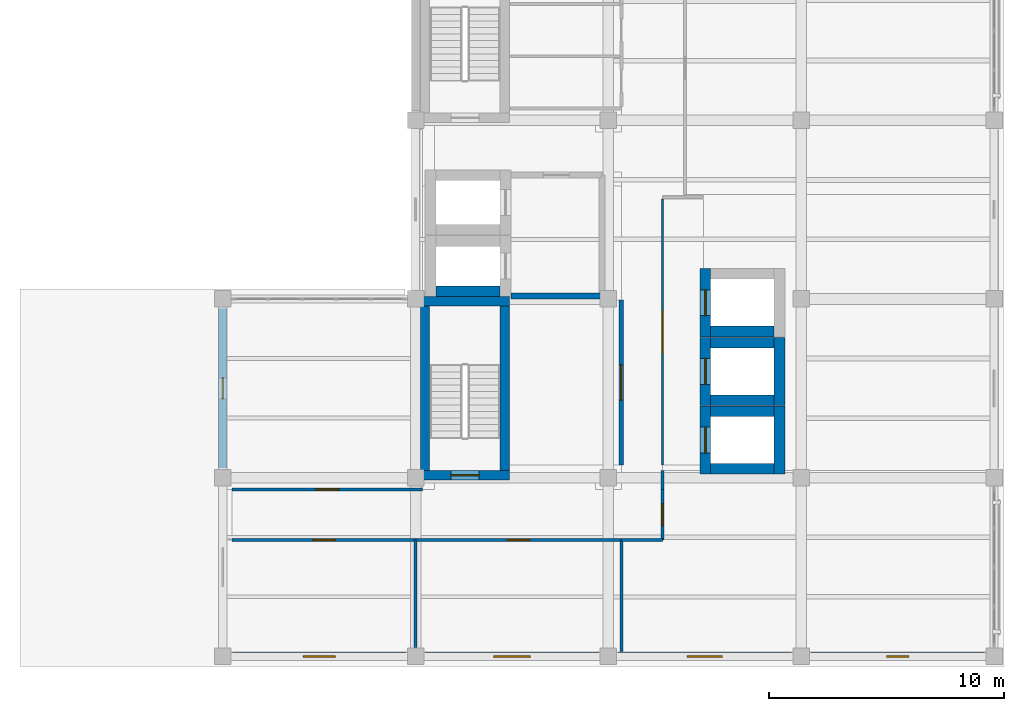
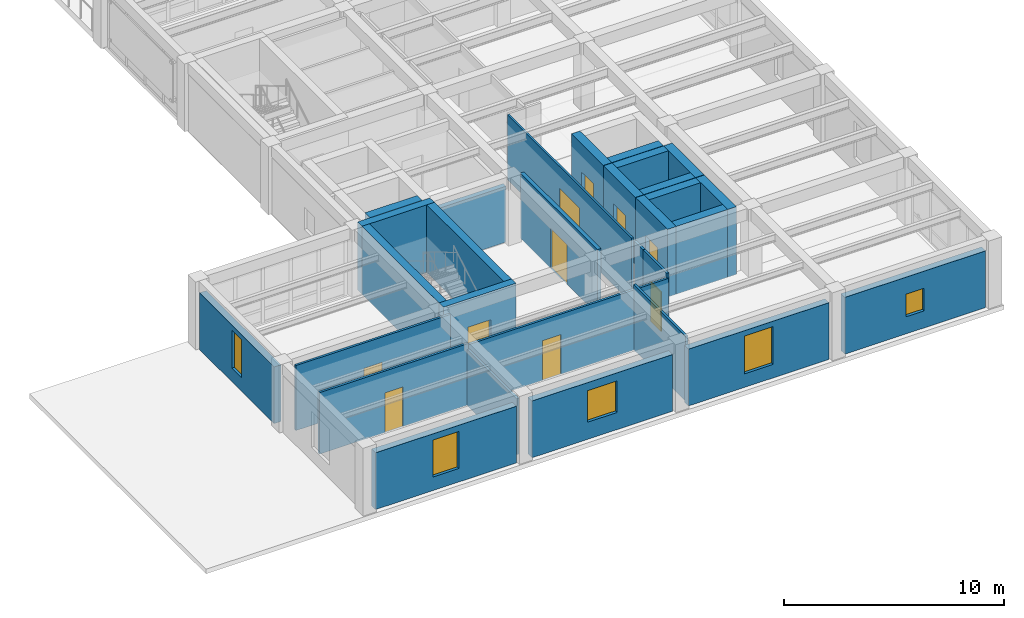
# One storey, part 6 of 11: 31 walls, 10 doors, 5 windows, 15 openings.
"""IFC4 building model written with IfcOpenShell, lengths in metres."""

from ifc_helpers import new_model, si_unit, direction, frame, frame_2d, origin, place, context, subcontext, project, spatial, rectangle, extrude, material, layer, layer_set, type_object, element, fill, save


model = new_model("IFC4")

# Units and contexts
model_context = context("Model", 3, precision=1e-05, world=origin(), true_north=direction((0.0, 1.0)))
body_context = subcontext(model_context, "Body", "Model", "MODEL_VIEW")
ifc_project = project(units=[si_unit("LENGTHUNIT", "METRE"), si_unit("AREAUNIT", "SQUARE_METRE"), si_unit("VOLUMEUNIT", "CUBIC_METRE"), si_unit("PLANEANGLEUNIT", "RADIAN"), si_unit("MASSUNIT", "GRAM", prefix="KILO")], contexts=[model_context])

# Site, building, storey
site_placement = place(None, origin())
site = spatial("IfcSite", under=ifc_project, at=site_placement, CompositionType="ELEMENT")
building_placement = place(site_placement, origin())
building = spatial("IfcBuilding", under=site, at=building_placement, Name="Qandaris Square Conservatory and Botanical Centre", CompositionType="ELEMENT")
storey_placement = place(building_placement, frame((0.0, 0.0, 66.199951171875)))
storey = spatial("IfcBuildingStorey", under=building, at=storey_placement, Name="L15", CompositionType="ELEMENT", Elevation=66.199951171875)

# Wall, opening, window
ifc_material_1 = material(Name="Precast concrete C40/50", Category="concrete")
ifc_layer_1 = layer(ifc_material_1, 0.360107421875)
ifc_layer_set_1 = layer_set([ifc_layer_1], Name="Precast concrete C40/50")
wall_type_1 = type_object("IfcWallType", Name="Architectural Precast Cladding Wall 360mm", PredefinedType="SOLIDWALL", material=ifc_layer_set_1)
wall_1_placement = place(storey_placement, frame((131.409912109375, 16.60009765625, 0.0), z_axis=(0.0, 0.0, 1.0), x_axis=(1.0, 0.0, 0.0)))
wall_1 = element("IfcWall", 1, at=wall_1_placement, inside=storey, type_object=wall_type_1, Name="Exterior Wall EW-TWR-L15-1-1", PredefinedType="SOLIDWALL", context=body_context, shape_type="SweptSolid", body=[
    extrude(rectangle(XDim=7.380126953125, YDim=0.360107421875, at=frame_2d((3.68994140625, 0.0))), origin(), (0.0, 0.0, 1.0), 3.14501953125),
])
opening_1_placement = place(wall_1_placement, frame((3.014892578125, 0.0, 0.75)))
opening_1 = element("IfcOpeningElement", 2, at=opening_1_placement, cuts=wall_1, Name="Opening WN-24", PredefinedType="OPENING", context=body_context, shape_type="SweptSolid", body=[
    extrude(rectangle(XDim=1.35009765625, YDim=2.050048828125, at=frame_2d((0.675048828125, 1.02490234375))), frame((0.0, 0.19189453125, 0.0), z_axis=(0.0, -1.0, 0.0), x_axis=(1.0, 0.0, 0.0)), (0.0, 0.0, 1.0), 0.384033203125),
])
ifc_material_2 = material(Name="Tempered Low-E Glass", Category="glass")
window_type_1 = type_object("IfcWindowType", Name="Solar Control Window 1350x2050", PartitioningType="SINGLE_PANEL", PredefinedType="WINDOW", material=ifc_material_2)
window_1_placement = place(opening_1_placement, origin())
window_1 = element("IfcWindow", 3, at=window_1_placement, inside=storey, type_object=window_type_1, Name="Window EW-TWR-L15-1-1", OverallHeight=2.050048828125, OverallWidth=1.35009765625, PartitioningType="SINGLE_PANEL", PredefinedType="WINDOW", context=body_context, shape_type="SweptSolid", body=[
    extrude(rectangle(XDim=1.35009765625, YDim=2.050048828125, at=frame_2d((0.675048828125, 1.02490234375))), frame((0.0, 0.030029296875, 0.0), z_axis=(0.0, -1.0, 0.0), x_axis=(1.0, 0.0, 0.0)), (0.0, 0.0, 1.0), 0.06005859375),
])
fill(opening_1, window_1)

wall_2_placement = place(storey_placement, frame((139.610107421875, 16.60009765625, 0.0), z_axis=(0.0, 0.0, 1.0), x_axis=(1.0, 0.0, 0.0)))
wall_2 = element("IfcWall", 4, at=wall_2_placement, inside=storey, type_object=wall_type_1, Name="Exterior Wall EW-TWR-L15-1-2", PredefinedType="SOLIDWALL", context=body_context, shape_type="SweptSolid", body=[
    extrude(rectangle(XDim=7.3798828125, YDim=0.360107421875, at=frame_2d((3.68994140625, 0.0))), origin(), (0.0, 0.0, 1.0), 3.14501953125),
])
opening_2_placement = place(wall_2_placement, frame((2.9150390625, 0.0, 0.949951171875)))
opening_2 = element("IfcOpeningElement", 5, at=opening_2_placement, cuts=wall_2, Name="Opening WN-27", PredefinedType="OPENING", context=body_context, shape_type="SweptSolid", body=[
    extrude(rectangle(XDim=1.550048828125, YDim=1.75, at=frame_2d((0.77490234375, 0.875))), frame((0.0, 0.19189453125, 0.0), z_axis=(0.0, -1.0, 0.0), x_axis=(1.0, 0.0, 0.0)), (0.0, 0.0, 1.0), 0.384033203125),
])
window_type_2 = type_object("IfcWindowType", Name="Solar Control Window 1550x1750", PartitioningType="DOUBLE_PANEL_VERTICAL", PredefinedType="WINDOW", material=ifc_material_2)
window_2_placement = place(opening_2_placement, origin())
window_2 = element("IfcWindow", 6, at=window_2_placement, inside=storey, type_object=window_type_2, Name="Window EW-TWR-L15-1-2", OverallHeight=1.75, OverallWidth=1.550048828125, PartitioningType="DOUBLE_PANEL_VERTICAL", PredefinedType="WINDOW", context=body_context, shape_type="SweptSolid", body=[
    extrude(rectangle(XDim=1.550048828125, YDim=1.75, at=frame_2d((0.77490234375, 0.875))), frame((0.0, 0.030029296875, 0.0), z_axis=(0.0, -1.0, 0.0), x_axis=(1.0, 0.0, 0.0)), (0.0, 0.0, 1.0), 0.06005859375),
])
fill(opening_2, window_2)

wall_3_placement = place(storey_placement, frame((147.81005859375, 16.60009765625, 0.0), z_axis=(0.0, 0.0, 1.0), x_axis=(1.0, 0.0, 0.0)))
wall_3 = element("IfcWall", 7, at=wall_3_placement, inside=storey, type_object=wall_type_1, Name="Exterior Wall EW-TWR-L15-1-3", PredefinedType="SOLIDWALL", context=body_context, shape_type="SweptSolid", body=[
    extrude(rectangle(XDim=7.3798828125, YDim=0.360107421875, at=frame_2d((3.68994140625, 0.0))), origin(), (0.0, 0.0, 1.0), 3.14501953125),
])
opening_3_placement = place(wall_3_placement, frame((2.93994140625, 0.0, 0.75)))
opening_3 = element("IfcOpeningElement", 8, at=opening_3_placement, cuts=wall_3, Name="Opening WN-02", PredefinedType="OPENING", context=body_context, shape_type="SweptSolid", body=[
    extrude(rectangle(XDim=1.5, YDim=2.10009765625, at=frame_2d((0.75, 1.050048828125))), frame((0.0, 0.19189453125, 0.0), z_axis=(0.0, -1.0, 0.0), x_axis=(1.0, 0.0, 0.0)), (0.0, 0.0, 1.0), 0.384033203125),
])
window_type_3 = type_object("IfcWindowType", Name="Deep-Set Paired Research Window 1500x2100", PartitioningType="DOUBLE_PANEL_VERTICAL", PredefinedType="WINDOW", material=ifc_material_2)
window_3_placement = place(opening_3_placement, origin())
window_3 = element("IfcWindow", 9, at=window_3_placement, inside=storey, type_object=window_type_3, Name="Window EW-TWR-L15-1-3", OverallHeight=2.10009765625, OverallWidth=1.5, PartitioningType="DOUBLE_PANEL_VERTICAL", PredefinedType="WINDOW", context=body_context, shape_type="SweptSolid", body=[
    extrude(rectangle(XDim=1.5, YDim=2.10009765625, at=frame_2d((0.75, 1.050048828125))), frame((0.0, 0.030029296875, 0.0), z_axis=(0.0, -1.0, 0.0), x_axis=(1.0, 0.0, 0.0)), (0.0, 0.0, 1.0), 0.06005859375),
])
fill(opening_3, window_3)

wall_4_placement = place(storey_placement, frame((156.010009765625, 16.60009765625, 0.0), z_axis=(0.0, 0.0, 1.0), x_axis=(1.0, 0.0, 0.0)))
wall_4 = element("IfcWall", 10, at=wall_4_placement, inside=storey, type_object=wall_type_1, Name="Exterior Wall EW-TWR-L15-1-4", PredefinedType="SOLIDWALL", context=body_context, shape_type="SweptSolid", body=[
    extrude(rectangle(XDim=7.3798828125, YDim=0.360107421875, at=frame_2d((3.68994140625, 0.0))), origin(), (0.0, 0.0, 1.0), 3.14501953125),
])
opening_4_placement = place(wall_4_placement, frame((3.215087890625, 0.0, 0.949951171875)))
opening_4 = element("IfcOpeningElement", 11, at=opening_4_placement, cuts=wall_4, Name="Opening WN-13", PredefinedType="OPENING", context=body_context, shape_type="SweptSolid", body=[
    extrude(rectangle(XDim=0.949951171875, YDim=1.25, at=frame_2d((0.47509765625, 0.625))), frame((0.0, 0.19189453125, 0.0), z_axis=(0.0, -1.0, 0.0), x_axis=(1.0, 0.0, 0.0)), (0.0, 0.0, 1.0), 0.384033203125),
])
window_type_4 = type_object("IfcWindowType", Name="Solar Control Window 950x1250", PartitioningType="SINGLE_PANEL", PredefinedType="WINDOW", material=ifc_material_2)
window_4_placement = place(opening_4_placement, origin())
window_4 = element("IfcWindow", 12, at=window_4_placement, inside=storey, type_object=window_type_4, Name="Window EW-TWR-L15-1-4", OverallHeight=1.25, OverallWidth=0.949951171875, PartitioningType="SINGLE_PANEL", PredefinedType="WINDOW", context=body_context, shape_type="SweptSolid", body=[
    extrude(rectangle(XDim=0.949951171875, YDim=1.25, at=frame_2d((0.47509765625, 0.625))), frame((0.0, 0.030029296875, 0.0), z_axis=(0.0, -1.0, 0.0), x_axis=(1.0, 0.0, 0.0)), (0.0, 0.0, 1.0), 0.06005859375),
])
fill(opening_4, window_4)

wall_5_placement = place(storey_placement, frame((131.0, 31.389892578125, 0.0), z_axis=(0.0, 0.0, 1.0), x_axis=(0.0, -1.0, 0.0)))
wall_5 = element("IfcWall", 13, at=wall_5_placement, inside=storey, type_object=wall_type_1, Name="Exterior Wall EW-TWR-L15-6-1", PredefinedType="SOLIDWALL", context=body_context, shape_type="SweptSolid", body=[
    extrude(rectangle(XDim=6.77978515625, YDim=0.360107421875, at=frame_2d((3.389892578125, 0.0))), origin(), (0.0, 0.0, 1.0), 3.14501953125),
])
opening_5_placement = place(wall_5_placement, frame((2.93994140625, 0.0, 0.75)))
opening_5 = element("IfcOpeningElement", 14, at=opening_5_placement, cuts=wall_5, Name="Opening WN-01", PredefinedType="OPENING", context=body_context, shape_type="SweptSolid", body=[
    extrude(rectangle(XDim=0.89990234375, YDim=2.10009765625, at=frame_2d((0.449951171875, 1.050048828125))), frame((0.0, 0.19189453125, 0.0), z_axis=(0.0, -1.0, 0.0), x_axis=(1.0, 0.0, 0.0)), (0.0, 0.0, 1.0), 0.384033203125),
])
window_type_5 = type_object("IfcWindowType", Name="Deep-Set Solar Slot Window 900x2100", PartitioningType="SINGLE_PANEL", PredefinedType="WINDOW", material=ifc_material_2)
window_5_placement = place(opening_5_placement, origin())
window_5 = element("IfcWindow", 15, at=window_5_placement, inside=storey, type_object=window_type_5, Name="Window EW-TWR-L15-6-1", OverallHeight=2.10009765625, OverallWidth=0.89990234375, PartitioningType="SINGLE_PANEL", PredefinedType="WINDOW", context=body_context, shape_type="SweptSolid", body=[
    extrude(rectangle(XDim=0.89990234375, YDim=2.10009765625, at=frame_2d((0.449951171875, 1.050048828125))), frame((0.0, 0.030029296875, 0.0), z_axis=(0.0, -1.0, 0.0), x_axis=(1.0, 0.0, 0.0)), (0.0, 0.0, 1.0), 0.06005859375),
])
fill(opening_5, window_5)

# Wall
ifc_material_3 = material(Name="Concrete C40/50", Category="concrete")
ifc_layer_2 = layer(ifc_material_3, 0.25)
ifc_layer_set_2 = layer_set([ifc_layer_2], Name="Concrete C40/50")
wall_type_2 = type_object("IfcWallType", Name="Firefighting Lobby Compartment Wall 250mm", PredefinedType="SOLIDWALL", material=ifc_layer_set_2)
wall_6_placement = place(storey_placement, frame((143.25, 31.925048828125, 0.0), z_axis=(0.0, 0.0, 1.0), x_axis=(1.0, 0.0, 0.0)))
element("IfcWall", 16, at=wall_6_placement, inside=storey, type_object=wall_type_2, Name="Firefighting Lobby Wall South (L15)", PredefinedType="SOLIDWALL", context=body_context, shape_type="SweptSolid", body=[
    extrude(rectangle(XDim=3.875, YDim=0.25, at=frame_2d((1.9375, 0.0))), origin(), (0.0, 0.0, 1.0), 3.094970703125),
])

# Wall, opening, door
ifc_layer_3 = layer(ifc_material_2, 0.10009765625)
ifc_layer_set_3 = layer_set([ifc_layer_3], Name="Tempered Low-E Glass")
wall_type_3 = type_object("IfcWallType", Name="Framed Acoustic Glazed Gallery Screen 100mm", PredefinedType="PARTITIONING", material=ifc_layer_set_3)
wall_7_placement = place(storey_placement, frame((149.699951171875, 24.75, 0.0), z_axis=(0.0, 0.0, 1.0), x_axis=(0.0, 1.0, 0.0)))
wall_7 = element("IfcWall", 17, at=wall_7_placement, inside=storey, type_object=wall_type_3, Name="Interior Partition IW-L15-0465", PredefinedType="PARTITIONING", context=body_context, shape_type="SweptSolid", body=[
    extrude(rectangle(XDim=11.300048828125, YDim=0.10009765625, at=frame_2d((5.64990234375, 0.0))), origin(), (0.0, 0.0, 1.0), 3.60498046875),
])
opening_6_placement = place(wall_7_placement, frame((4.75, 0.0, 0.0)))
opening_6 = element("IfcOpeningElement", 18, at=opening_6_placement, cuts=wall_7, Name="Opening D-GL1", PredefinedType="OPENING", context=body_context, shape_type="SweptSolid", body=[
    extrude(rectangle(XDim=1.800048828125, YDim=2.39990234375, at=frame_2d((0.89990234375, 1.199951171875))), frame((0.0, 0.06201171875, 0.0), z_axis=(0.0, -1.0, 0.0), x_axis=(1.0, 0.0, 0.0)), (0.0, 0.0, 1.0), 0.1240234375),
])
ifc_material_4 = material(Name="Anodised Aluminium", Category="aluminium")
door_type_1 = type_object("IfcDoorType", Name="Visitor Gallery Glazed Double Door 1800x2400", OperationType="DOUBLE_DOOR_SINGLE_SWING", PredefinedType="DOOR", material=ifc_material_4)
door_1_placement = place(opening_6_placement, frame((1.800048828125, 0.0, 0.0), z_axis=(0.0, 0.0, 1.0), x_axis=(-1.0, 0.0, 0.0)))
door_1 = element("IfcDoor", 19, at=door_1_placement, inside=storey, type_object=door_type_1, Name="DR-0428 Main Circulation Corridor L15 Door", OperationType="DOUBLE_DOOR_SINGLE_SWING", OverallHeight=2.39990234375, OverallWidth=1.800048828125, PredefinedType="DOOR", context=body_context, shape_type="SweptSolid", body=[
    extrude(rectangle(XDim=1.800048828125, YDim=2.39990234375, at=frame_2d((0.89990234375, 1.199951171875))), frame((0.0, 0.02490234375, 0.0), z_axis=(0.0, -1.0, 0.0), x_axis=(1.0, 0.0, 0.0)), (0.0, 0.0, 1.0), 0.050048828125),
])
fill(opening_6, door_1)

ifc_layer_4 = layer(ifc_material_3, 0.199951171875)
ifc_layer_set_4 = layer_set([ifc_layer_4], Name="Concrete C40/50")
wall_type_4 = type_object("IfcWallType", Name="Herbarium & Plant Compartment Wall 200mm", PredefinedType="PARTITIONING", material=ifc_layer_set_4)
wall_8_placement = place(storey_placement, frame((147.949951171875, 31.75, 0.0), z_axis=(0.0, 0.0, 1.0), x_axis=(0.0, -1.0, 0.0)))
wall_8 = element("IfcWall", 20, at=wall_8_placement, inside=storey, type_object=wall_type_4, Name="Interior Partition IW-L15-0464", PredefinedType="PARTITIONING", context=body_context, shape_type="SweptSolid", body=[
    extrude(rectangle(XDim=7.0, YDim=0.199951171875, at=frame_2d((3.5, 0.0))), origin(), (0.0, 0.0, 1.0), 3.60498046875),
])
opening_7_placement = place(wall_8_placement, frame((2.75, 0.0, 0.0)))
opening_7 = element("IfcOpeningElement", 21, at=opening_7_placement, cuts=wall_8, Name="Opening D-PLT1", PredefinedType="OPENING", context=body_context, shape_type="SweptSolid", body=[
    extrude(rectangle(XDim=1.5, YDim=2.199951171875, at=frame_2d((0.75, 1.10009765625))), frame((0.0, 0.11181640625, 0.0), z_axis=(0.0, -1.0, 0.0), x_axis=(1.0, 0.0, 0.0)), (0.0, 0.0, 1.0), 0.223876953125),
])
ifc_material_5 = material(Name="Steel S355", Category="steel")
door_type_2 = type_object("IfcDoorType", Name="Plant & Riser Double Fire Door 1500x2200", OperationType="DOUBLE_DOOR_SINGLE_SWING", PredefinedType="DOOR", material=ifc_material_5)
door_2_placement = place(opening_7_placement, origin())
door_2 = element("IfcDoor", 22, at=door_2_placement, inside=storey, type_object=door_type_2, Name="DR-0436 Electrical and Telecom Riser Room L15 Door", OperationType="DOUBLE_DOOR_SINGLE_SWING", OverallHeight=2.199951171875, OverallWidth=1.5, PredefinedType="DOOR", context=body_context, shape_type="SweptSolid", body=[
    extrude(rectangle(XDim=1.5, YDim=2.199951171875, at=frame_2d((0.75, 1.10009765625))), frame((0.0, 0.02490234375, 0.0), z_axis=(0.0, -1.0, 0.0), x_axis=(1.0, 0.0, 0.0)), (0.0, 0.0, 1.0), 0.050048828125),
])
fill(opening_7, door_2)

# Walls
ifc_material_6 = material(Name="Concrete C50/60", Category="concrete")
ifc_layer_5 = layer(ifc_material_6, 0.449951171875)
ifc_layer_set_5 = layer_set([ifc_layer_5], Name="Concrete C50/60")
wall_type_5 = type_object("IfcWallType", Name="RC Coupled Core Shear Wall 450mm", PredefinedType="SHEAR", material=ifc_layer_set_5)
wall_9_placement = place(storey_placement, frame((140.06005859375, 32.135009765625, 0.0), z_axis=(0.0, 0.0, 1.0), x_axis=(1.0, 0.0, 0.0)))
element("IfcWall", 23, at=wall_9_placement, inside=storey, type_object=wall_type_5, Name="Lift FFL1 Shaft Wall South (L15)", PredefinedType="SHEAR", context=body_context, shape_type="SweptSolid", body=[
    extrude(rectangle(XDim=2.739990234375, YDim=0.449951171875, at=frame_2d((1.3701171875, 0.0))), origin(), (0.0, 0.0, 1.0), 3.760009765625),
])
for number, where, z_axis, x_axis, name in (
    (24, (151.75, 24.574951171875, 0.0), (0.0, 0.0, 1.0), (1.0, 0.0, 0.0), "Lift PL1 Shaft Wall South (L15)"),
    (25, (151.75, 27.02490234375, 0.0), (0.0, 0.0, 1.0), (1.0, 0.0, 0.0), "Lift PL1 Shaft Wall North (L15)"),
):
    element("IfcWall", number, at=place(storey_placement, frame(where, z_axis=z_axis, x_axis=x_axis)), inside=storey, type_object=wall_type_5, Name=name, PredefinedType="SHEAR", context=body_context, shape_type="SweptSolid", body=[
        extrude(rectangle(XDim=2.699951171875, YDim=0.449951171875, at=frame_2d((1.35009765625, 0.0))), origin(), (0.0, 0.0, 1.0), 3.760009765625),
    ])

# Wall, opening, door
wall_10_placement = place(storey_placement, frame((151.52490234375, 24.35009765625, 0.0), z_axis=(0.0, 0.0, 1.0), x_axis=(0.0, 1.0, 0.0)))
wall_10 = element("IfcWall", 26, at=wall_10_placement, inside=storey, type_object=wall_type_5, Name="Lift PL1 Shaft Wall West (L15)", PredefinedType="SHEAR", context=body_context, shape_type="SweptSolid", body=[
    extrude(rectangle(XDim=2.89990234375, YDim=0.449951171875, at=frame_2d((1.449951171875, 0.0))), origin(), (0.0, 0.0, 1.0), 3.760009765625),
])
opening_8_placement = place(wall_10_placement, frame((0.89990234375, 0.0, 0.0)))
opening_8 = element("IfcOpeningElement", 27, at=opening_8_placement, cuts=wall_10, Name="Opening LD-PAX", PredefinedType="OPENING", context=body_context, shape_type="SweptSolid", body=[
    extrude(rectangle(XDim=1.10009765625, YDim=2.199951171875, at=frame_2d((0.550048828125, 1.10009765625))), frame((0.0, 0.23681640625, 0.0), z_axis=(0.0, -1.0, 0.0), x_axis=(1.0, 0.0, 0.0)), (0.0, 0.0, 1.0), 0.473876953125),
])
door_type_3 = type_object("IfcDoorType", Name="Passenger Lift Sliding Landing Door 1100x2200", OperationType="DOUBLE_DOOR_SLIDING", PredefinedType="DOOR", material=ifc_material_4)
door_3_placement = place(opening_8_placement, origin())
door_3 = element("IfcDoor", 28, at=door_3_placement, inside=storey, type_object=door_type_3, Name="DR-0445 Lift PL1 Landing Door (L15)", OperationType="DOUBLE_DOOR_SLIDING", OverallHeight=2.199951171875, OverallWidth=1.10009765625, PredefinedType="DOOR", context=body_context, shape_type="SweptSolid", body=[
    extrude(rectangle(XDim=1.10009765625, YDim=2.199951171875, at=frame_2d((0.550048828125, 1.10009765625))), frame((0.0, 0.02490234375, 0.0), z_axis=(0.0, -1.0, 0.0), x_axis=(1.0, 0.0, 0.0)), (0.0, 0.0, 1.0), 0.050048828125),
])
fill(opening_8, door_3)

# Walls
wall_11_placement = place(storey_placement, frame((154.675048828125, 24.35009765625, 0.0), z_axis=(0.0, 0.0, 1.0), x_axis=(0.0, 1.0, 0.0)))
element("IfcWall", 29, at=wall_11_placement, inside=storey, type_object=wall_type_5, Name="Lift PL1 Shaft Wall East (L15)", PredefinedType="SHEAR", context=body_context, shape_type="SweptSolid", body=[
    extrude(rectangle(XDim=2.89990234375, YDim=0.449951171875, at=frame_2d((1.449951171875, 0.0))), origin(), (0.0, 0.0, 1.0), 3.760009765625),
])
for number, where, z_axis, x_axis, name in (
    (30, (151.75, 27.4951171875, 0.0), (0.0, 0.0, 1.0), (1.0, 0.0, 0.0), "Lift PL2 Shaft Wall South (L15)"),
    (31, (151.75, 29.945068359375, 0.0), (0.0, 0.0, 1.0), (1.0, 0.0, 0.0), "Lift PL2 Shaft Wall North (L15)"),
):
    element("IfcWall", number, at=place(storey_placement, frame(where, z_axis=z_axis, x_axis=x_axis)), inside=storey, type_object=wall_type_5, Name=name, PredefinedType="SHEAR", context=body_context, shape_type="SweptSolid", body=[
        extrude(rectangle(XDim=2.699951171875, YDim=0.449951171875, at=frame_2d((1.35009765625, 0.0))), origin(), (0.0, 0.0, 1.0), 3.760009765625),
    ])

# Wall, opening, door
wall_12_placement = place(storey_placement, frame((151.52490234375, 27.27001953125, 0.0), z_axis=(0.0, 0.0, 1.0), x_axis=(0.0, 1.0, 0.0)))
wall_12 = element("IfcWall", 32, at=wall_12_placement, inside=storey, type_object=wall_type_5, Name="Lift PL2 Shaft Wall West (L15)", PredefinedType="SHEAR", context=body_context, shape_type="SweptSolid", body=[
    extrude(rectangle(XDim=2.89990234375, YDim=0.449951171875, at=frame_2d((1.449951171875, 0.0))), origin(), (0.0, 0.0, 1.0), 3.760009765625),
])
opening_9_placement = place(wall_12_placement, frame((0.89990234375, 0.0, 0.0)))
opening_9 = element("IfcOpeningElement", 33, at=opening_9_placement, cuts=wall_12, Name="Opening LD-PAX", PredefinedType="OPENING", context=body_context, shape_type="SweptSolid", body=[
    extrude(rectangle(XDim=1.10009765625, YDim=2.199951171875, at=frame_2d((0.550048828125, 1.10009765625))), frame((0.0, 0.23681640625, 0.0), z_axis=(0.0, -1.0, 0.0), x_axis=(1.0, 0.0, 0.0)), (0.0, 0.0, 1.0), 0.473876953125),
])
door_4_placement = place(opening_9_placement, origin())
door_4 = element("IfcDoor", 34, at=door_4_placement, inside=storey, type_object=door_type_3, Name="DR-0446 Lift PL2 Landing Door (L15)", OperationType="DOUBLE_DOOR_SLIDING", OverallHeight=2.199951171875, OverallWidth=1.10009765625, PredefinedType="DOOR", context=body_context, shape_type="SweptSolid", body=[
    extrude(rectangle(XDim=1.10009765625, YDim=2.199951171875, at=frame_2d((0.550048828125, 1.10009765625))), frame((0.0, 0.02490234375, 0.0), z_axis=(0.0, -1.0, 0.0), x_axis=(1.0, 0.0, 0.0)), (0.0, 0.0, 1.0), 0.050048828125),
])
fill(opening_9, door_4)

# Walls
wall_13_placement = place(storey_placement, frame((154.675048828125, 27.27001953125, 0.0), z_axis=(0.0, 0.0, 1.0), x_axis=(0.0, 1.0, 0.0)))
element("IfcWall", 35, at=wall_13_placement, inside=storey, type_object=wall_type_5, Name="Lift PL2 Shaft Wall East (L15)", PredefinedType="SHEAR", context=body_context, shape_type="SweptSolid", body=[
    extrude(rectangle(XDim=2.89990234375, YDim=0.449951171875, at=frame_2d((1.449951171875, 0.0))), origin(), (0.0, 0.0, 1.0), 3.760009765625),
])
wall_14_placement = place(storey_placement, frame((151.75, 30.4150390625, 0.0), z_axis=(0.0, 0.0, 1.0), x_axis=(1.0, 0.0, 0.0)))
element("IfcWall", 36, at=wall_14_placement, inside=storey, type_object=wall_type_5, Name="Lift PL3 Shaft Wall South (L15)", PredefinedType="SHEAR", context=body_context, shape_type="SweptSolid", body=[
    extrude(rectangle(XDim=2.699951171875, YDim=0.449951171875, at=frame_2d((1.35009765625, 0.0))), origin(), (0.0, 0.0, 1.0), 3.760009765625),
])

# Wall, opening, door
wall_15_placement = place(storey_placement, frame((151.52490234375, 30.18994140625, 0.0), z_axis=(0.0, 0.0, 1.0), x_axis=(0.0, 1.0, 0.0)))
wall_15 = element("IfcWall", 37, at=wall_15_placement, inside=storey, type_object=wall_type_5, Name="Lift PL3 Shaft Wall West (L15)", PredefinedType="SHEAR", context=body_context, shape_type="SweptSolid", body=[
    extrude(rectangle(XDim=2.900146484375, YDim=0.449951171875, at=frame_2d((1.4501953125, 0.0))), origin(), (0.0, 0.0, 1.0), 3.760009765625),
])
opening_10_placement = place(wall_15_placement, frame((0.89990234375, 0.0, 0.0)))
opening_10 = element("IfcOpeningElement", 38, at=opening_10_placement, cuts=wall_15, Name="Opening LD-PAX", PredefinedType="OPENING", context=body_context, shape_type="SweptSolid", body=[
    extrude(rectangle(XDim=1.10009765625, YDim=2.199951171875, at=frame_2d((0.550048828125, 1.10009765625))), frame((0.0, 0.23681640625, 0.0), z_axis=(0.0, -1.0, 0.0), x_axis=(1.0, 0.0, 0.0)), (0.0, 0.0, 1.0), 0.473876953125),
])
door_5_placement = place(opening_10_placement, origin())
door_5 = element("IfcDoor", 39, at=door_5_placement, inside=storey, type_object=door_type_3, Name="DR-0447 Lift PL3 Landing Door (L15)", OperationType="DOUBLE_DOOR_SLIDING", OverallHeight=2.199951171875, OverallWidth=1.10009765625, PredefinedType="DOOR", context=body_context, shape_type="SweptSolid", body=[
    extrude(rectangle(XDim=1.10009765625, YDim=2.199951171875, at=frame_2d((0.550048828125, 1.10009765625))), frame((0.0, 0.02490234375, 0.0), z_axis=(0.0, -1.0, 0.0), x_axis=(1.0, 0.0, 0.0)), (0.0, 0.0, 1.0), 0.050048828125),
])
fill(opening_10, door_5)

ifc_layer_6 = layer(ifc_material_6, 0.39990234375)
ifc_layer_set_6 = layer_set([ifc_layer_6], Name="Concrete C50/60")
wall_type_6 = type_object("IfcWallType", Name="RC Stair Core Shear Wall 400mm", PredefinedType="SHEAR", material=ifc_layer_set_6)
wall_16_placement = place(storey_placement, frame((139.39990234375, 24.300048828125, 0.0), z_axis=(0.0, 0.0, 1.0), x_axis=(1.0, 0.0, 0.0)))
wall_16 = element("IfcWall", 40, at=wall_16_placement, inside=storey, type_object=wall_type_6, Name="ST-1 Core Shear Wall South (L15)", PredefinedType="SHEAR", context=body_context, shape_type="SweptSolid", body=[
    extrude(rectangle(XDim=3.800048828125, YDim=0.39990234375, at=frame_2d((1.89990234375, 0.0))), origin(), (0.0, 0.0, 1.0), 3.760009765625),
])
opening_11_placement = place(wall_16_placement, frame((1.300048828125, 0.0, 0.0)))
opening_11 = element("IfcOpeningElement", 41, at=opening_11_placement, cuts=wall_16, Name="Opening D-ST1", PredefinedType="OPENING", context=body_context, shape_type="SweptSolid", body=[
    extrude(rectangle(XDim=1.199951171875, YDim=2.199951171875, at=frame_2d((0.60009765625, 1.10009765625))), frame((0.0, 0.2119140625, 0.0), z_axis=(0.0, -1.0, 0.0), x_axis=(1.0, 0.0, 0.0)), (0.0, 0.0, 1.0), 0.423828125),
])
door_type_4 = type_object("IfcDoorType", Name="Exit Stair Core Fire Door 1200x2200", OperationType="NOTDEFINED", PredefinedType="DOOR", material=ifc_material_5)
door_6_placement = place(opening_11_placement, origin())
door_6 = element("IfcDoor", 42, at=door_6_placement, inside=storey, type_object=door_type_4, Name="DR-0437 ST-1 Stair Core Door (L15)", OperationType="SINGLE_SWING_LEFT", OverallHeight=2.199951171875, OverallWidth=1.199951171875, PredefinedType="DOOR", context=body_context, shape_type="SweptSolid", body=[
    extrude(rectangle(XDim=1.199951171875, YDim=2.199951171875, at=frame_2d((0.60009765625, 1.10009765625))), frame((0.0, 0.02490234375, 0.0), z_axis=(0.0, -1.0, 0.0), x_axis=(1.0, 0.0, 0.0)), (0.0, 0.0, 1.0), 0.050048828125),
])
fill(opening_11, door_6)

# Walls
wall_17_placement = place(storey_placement, frame((139.39990234375, 31.699951171875, 0.0), z_axis=(0.0, 0.0, 1.0), x_axis=(1.0, 0.0, 0.0)))
element("IfcWall", 43, at=wall_17_placement, inside=storey, type_object=wall_type_6, Name="ST-1 Core Shear Wall North (L15)", PredefinedType="SHEAR", context=body_context, shape_type="SweptSolid", body=[
    extrude(rectangle(XDim=3.800048828125, YDim=0.39990234375, at=frame_2d((1.89990234375, 0.0))), origin(), (0.0, 0.0, 1.0), 3.760009765625),
])
for number, where, z_axis, x_axis, name in (
    (44, (139.60009765625, 24.5, 0.0), (0.0, 0.0, 1.0), (0.0, 1.0, 0.0), "ST-1 Core Shear Wall West (L15)"),
    (45, (143.0, 24.5, 0.0), (0.0, 0.0, 1.0), (0.0, 1.0, 0.0), "ST-1 Core Shear Wall East (L15)"),
):
    element("IfcWall", number, at=place(storey_placement, frame(where, z_axis=z_axis, x_axis=x_axis)), inside=storey, type_object=wall_type_6, Name=name, PredefinedType="SHEAR", context=body_context, shape_type="SweptSolid", body=[
        extrude(rectangle(XDim=7.0, YDim=0.39990234375, at=frame_2d((3.5, 0.0))), origin(), (0.0, 0.0, 1.0), 3.760009765625),
    ])

# Wall, opening, door
ifc_material_7 = material(Name="Gypsum Plasterboard", Category="gypsum")
ifc_layer_7 = layer(ifc_material_7, 0.1201171875)
ifc_layer_set_7 = layer_set([ifc_layer_7], Name="Gypsum Plasterboard")
wall_type_7 = type_object("IfcWallType", Name="Standard Research Partition 120mm", PredefinedType="PARTITIONING", material=ifc_layer_set_7)
wall_18_placement = place(storey_placement, frame((139.199951171875, 21.550048828125, 0.0), z_axis=(0.0, 0.0, 1.0), x_axis=(-1.0, 0.0, 0.0)))
wall_18 = element("IfcWall", 46, at=wall_18_placement, inside=storey, type_object=wall_type_7, Name="Interior Partition IW-L15-0473", PredefinedType="PARTITIONING", context=body_context, shape_type="SweptSolid", body=[
    extrude(rectangle(XDim=7.800048828125, YDim=0.1201171875, at=frame_2d((3.89990234375, 0.0))), origin(), (0.0, 0.0, 1.0), 3.405029296875),
])
opening_12_placement = place(wall_18_placement, frame((3.425048828125, 0.0, 0.0)))
opening_12 = element("IfcOpeningElement", 47, at=opening_12_placement, cuts=wall_18, Name="Opening D-OFF1", PredefinedType="OPENING", context=body_context, shape_type="SweptSolid", body=[
    extrude(rectangle(XDim=0.949951171875, YDim=2.199951171875, at=frame_2d((0.47509765625, 1.10009765625))), frame((0.0, 0.072021484375, 0.0), z_axis=(0.0, -1.0, 0.0), x_axis=(1.0, 0.0, 0.0)), (0.0, 0.0, 1.0), 0.14404296875),
])
ifc_material_8 = material(Name="Engineered Oak Timber", Category="wood")
door_type_5 = type_object("IfcDoorType", Name="Research Office Acoustic Door 950x2200", OperationType="NOTDEFINED", PredefinedType="DOOR", material=ifc_material_8)
door_7_placement = place(opening_12_placement, origin())
door_7 = element("IfcDoor", 48, at=door_7_placement, inside=storey, type_object=door_type_5, Name="DR-0429 Visiting Scholars Research Laboratory Door", OperationType="SINGLE_SWING_RIGHT", OverallHeight=2.199951171875, OverallWidth=0.949951171875, PredefinedType="DOOR", context=body_context, shape_type="SweptSolid", body=[
    extrude(rectangle(XDim=0.949951171875, YDim=2.199951171875, at=frame_2d((0.47509765625, 1.10009765625))), frame((0.0, 0.02490234375, 0.0), z_axis=(0.0, -1.0, 0.0), x_axis=(1.0, 0.0, 0.0)), (0.0, 0.0, 1.0), 0.050048828125),
])
fill(opening_12, door_7)

wall_19_placement = place(storey_placement, frame((147.949951171875, 21.550048828125, 0.0), z_axis=(0.0, 0.0, 1.0), x_axis=(-1.0, 0.0, 0.0)))
wall_19 = element("IfcWall", 49, at=wall_19_placement, inside=storey, type_object=wall_type_7, Name="Interior Partition IW-L15-0474", PredefinedType="PARTITIONING", context=body_context, shape_type="SweptSolid", body=[
    extrude(rectangle(XDim=8.75, YDim=0.1201171875, at=frame_2d((4.375, 0.0))), origin(), (0.0, 0.0, 1.0), 3.3349609375),
])
opening_13_placement = place(wall_19_placement, frame((3.89990234375, 0.0, 0.0)))
opening_13 = element("IfcOpeningElement", 50, at=opening_13_placement, cuts=wall_19, Name="Opening D-OFF1", PredefinedType="OPENING", context=body_context, shape_type="SweptSolid", body=[
    extrude(rectangle(XDim=0.949951171875, YDim=2.199951171875, at=frame_2d((0.47509765625, 1.10009765625))), frame((0.0, 0.072021484375, 0.0), z_axis=(0.0, -1.0, 0.0), x_axis=(1.0, 0.0, 0.0)), (0.0, 0.0, 1.0), 0.14404296875),
])
door_8_placement = place(opening_13_placement, frame((0.949951171875, 0.0, 0.0), z_axis=(0.0, 0.0, 1.0), x_axis=(-1.0, 0.0, 0.0)))
door_8 = element("IfcDoor", 51, at=door_8_placement, inside=storey, type_object=door_type_5, Name="DR-0430 Editorial Botanical Press Suite Door", OperationType="SINGLE_SWING_LEFT", OverallHeight=2.199951171875, OverallWidth=0.949951171875, PredefinedType="DOOR", context=body_context, shape_type="SweptSolid", body=[
    extrude(rectangle(XDim=0.949951171875, YDim=2.199951171875, at=frame_2d((0.47509765625, 1.10009765625))), frame((0.0, 0.02490234375, 0.0), z_axis=(0.0, -1.0, 0.0), x_axis=(1.0, 0.0, 0.0)), (0.0, 0.0, 1.0), 0.050048828125),
])
fill(opening_13, door_8)

wall_20_placement = place(storey_placement, frame((131.39990234375, 23.699951171875, 0.0), z_axis=(0.0, 0.0, 1.0), x_axis=(1.0, 0.0, 0.0)))
wall_20 = element("IfcWall", 52, at=wall_20_placement, inside=storey, type_object=wall_type_7, Name="Interior Partition IW-L15-0475", PredefinedType="PARTITIONING", context=body_context, shape_type="SweptSolid", body=[
    extrude(rectangle(XDim=8.10009765625, YDim=0.1201171875, at=frame_2d((4.050048828125, 0.0))), origin(), (0.0, 0.0, 1.0), 3.60498046875),
])
opening_14_placement = place(wall_20_placement, frame((3.574951171875, 0.0, 0.0)))
opening_14 = element("IfcOpeningElement", 53, at=opening_14_placement, cuts=wall_20, Name="Opening D-OFF1", PredefinedType="OPENING", context=body_context, shape_type="SweptSolid", body=[
    extrude(rectangle(XDim=0.949951171875, YDim=2.199951171875, at=frame_2d((0.47509765625, 1.10009765625))), frame((0.0, 0.072021484375, 0.0), z_axis=(0.0, -1.0, 0.0), x_axis=(1.0, 0.0, 0.0)), (0.0, 0.0, 1.0), 0.14404296875),
])
door_9_placement = place(opening_14_placement, origin())
door_9 = element("IfcDoor", 54, at=door_9_placement, inside=storey, type_object=door_type_5, Name="DR-0431 Advisory Board Research Laboratory Door", OperationType="SINGLE_SWING_RIGHT", OverallHeight=2.199951171875, OverallWidth=0.949951171875, PredefinedType="DOOR", context=body_context, shape_type="SweptSolid", body=[
    extrude(rectangle(XDim=0.949951171875, YDim=2.199951171875, at=frame_2d((0.47509765625, 1.10009765625))), frame((0.0, 0.02490234375, 0.0), z_axis=(0.0, -1.0, 0.0), x_axis=(1.0, 0.0, 0.0)), (0.0, 0.0, 1.0), 0.050048828125),
])
fill(opening_14, door_9)

# Wall
wall_21_placement = place(storey_placement, frame((149.699951171875, 24.5, 0.0), z_axis=(0.0, 0.0, 1.0), x_axis=(0.0, -1.0, 0.0)))
element("IfcWall", 55, at=wall_21_placement, inside=storey, type_object=wall_type_7, Name="Interior Partition IW-L15-0476", PredefinedType="PARTITIONING", context=body_context, shape_type="SweptSolid", body=[
    extrude(rectangle(XDim=0.800048828125, YDim=0.1201171875, at=frame_2d((0.39990234375, 0.0))), origin(), (0.0, 0.0, 1.0), 3.60498046875),
])

# Wall, opening, door
wall_22_placement = place(storey_placement, frame((149.699951171875, 23.699951171875, 0.0), z_axis=(0.0, 0.0, 1.0), x_axis=(0.0, -1.0, 0.0)))
wall_22 = element("IfcWall", 56, at=wall_22_placement, inside=storey, type_object=wall_type_7, Name="Interior Partition IW-L15-0477", PredefinedType="PARTITIONING", context=body_context, shape_type="SweptSolid", body=[
    extrude(rectangle(XDim=2.14990234375, YDim=0.1201171875, at=frame_2d((1.074951171875, 0.0))), origin(), (0.0, 0.0, 1.0), 3.60498046875),
])
opening_15_placement = place(wall_22_placement, frame((0.60009765625, 0.0, 0.0)))
opening_15 = element("IfcOpeningElement", 57, at=opening_15_placement, cuts=wall_22, Name="Opening D-OFF1", PredefinedType="OPENING", context=body_context, shape_type="SweptSolid", body=[
    extrude(rectangle(XDim=0.949951171875, YDim=2.199951171875, at=frame_2d((0.47509765625, 1.10009765625))), frame((0.0, 0.072021484375, 0.0), z_axis=(0.0, -1.0, 0.0), x_axis=(1.0, 0.0, 0.0)), (0.0, 0.0, 1.0), 0.14404296875),
])
door_10_placement = place(opening_15_placement, frame((0.949951171875, 0.0, 0.0), z_axis=(0.0, 0.0, 1.0), x_axis=(-1.0, 0.0, 0.0)))
door_10 = element("IfcDoor", 58, at=door_10_placement, inside=storey, type_object=door_type_5, Name="DR-0432 Floor L15 Instrument and Balance Room Door", OperationType="SINGLE_SWING_LEFT", OverallHeight=2.199951171875, OverallWidth=0.949951171875, PredefinedType="DOOR", context=body_context, shape_type="SweptSolid", body=[
    extrude(rectangle(XDim=0.949951171875, YDim=2.199951171875, at=frame_2d((0.47509765625, 1.10009765625))), frame((0.0, 0.02490234375, 0.0), z_axis=(0.0, -1.0, 0.0), x_axis=(1.0, 0.0, 0.0)), (0.0, 0.0, 1.0), 0.050048828125),
])
fill(opening_15, door_10)

# Walls
wall_23_placement = place(storey_placement, frame((149.699951171875, 21.550048828125, 0.0), z_axis=(0.0, 0.0, 1.0), x_axis=(-1.0, 0.0, 0.0)))
element("IfcWall", 59, at=wall_23_placement, inside=storey, type_object=wall_type_7, Name="Interior Partition IW-L15-0478", PredefinedType="PARTITIONING", context=body_context, shape_type="SweptSolid", body=[
    extrude(rectangle(XDim=1.75, YDim=0.1201171875, at=frame_2d((0.875, 0.0))), origin(), (0.0, 0.0, 1.0), 3.3349609375),
])
wall_24_placement = place(storey_placement, frame((139.199951171875, 21.550048828125, 0.0), z_axis=(0.0, 0.0, 1.0), x_axis=(0.0, -1.0, 0.0)))
element("IfcWall", 60, at=wall_24_placement, inside=storey, type_object=wall_type_7, Name="Interior Partition IW-L15-0483", PredefinedType="PARTITIONING", context=body_context, shape_type="SweptSolid", body=[
    extrude(rectangle(XDim=4.580078125, YDim=0.1201171875, at=frame_2d((2.2900390625, 0.0))), origin(), (0.0, 0.0, 1.0), 3.094970703125),
])
wall_25_placement = place(storey_placement, frame((147.949951171875, 21.550048828125, 0.0), z_axis=(0.0, 0.0, 1.0), x_axis=(0.0, -1.0, 0.0)))
element("IfcWall", 61, at=wall_25_placement, inside=storey, type_object=wall_type_7, Name="Interior Partition IW-L15-0484", PredefinedType="PARTITIONING", context=body_context, shape_type="SweptSolid", body=[
    extrude(rectangle(XDim=4.739990234375, YDim=0.1201171875, at=frame_2d((2.3701171875, 0.0))), origin(), (0.0, 0.0, 1.0), 3.60498046875),
])

save(model, "model.ifc")
